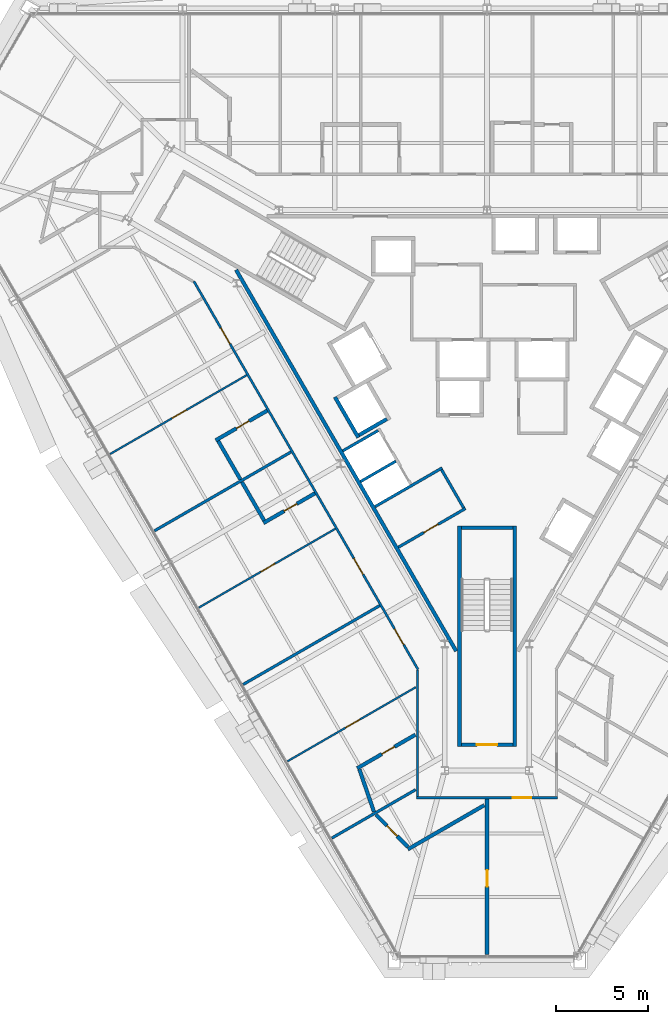
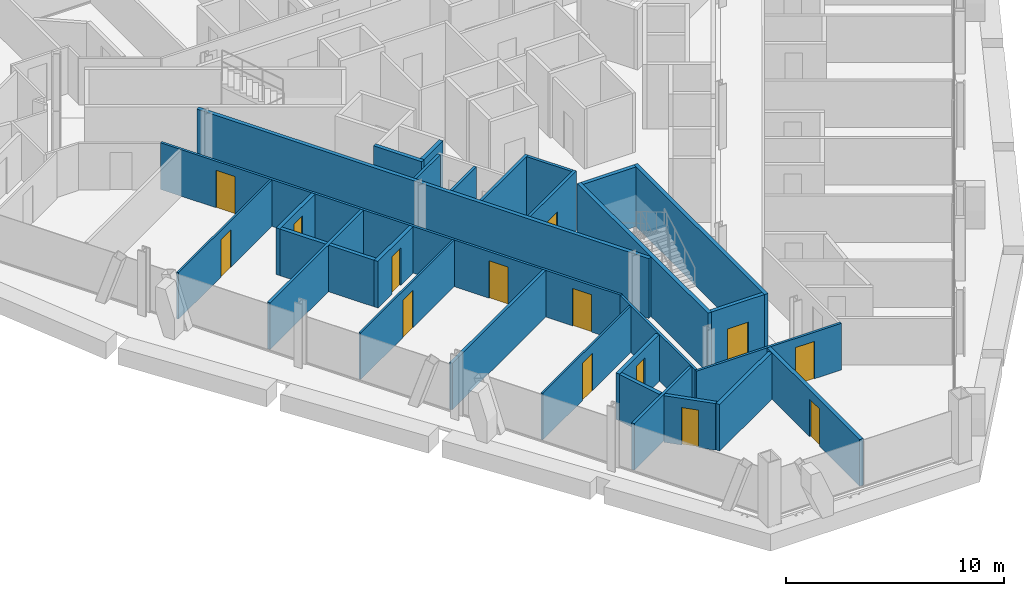
# One storey, part 10 of 17: 30 walls, 14 doors, 14 openings.
"""IFC4 building model written with IfcOpenShell, lengths in metres."""

from ifc_helpers import new_model, si_unit, direction, frame, frame_2d, origin, place, context, subcontext, project, spatial, rectangle, extrude, material, layer, layer_set, type_object, element, fill, save


model = new_model("IFC4")

# Units and contexts
model_context = context("Model", 3, precision=1e-05, world=origin(), true_north=direction((0.0, 1.0)))
body_context = subcontext(model_context, "Body", "Model", "MODEL_VIEW")
ifc_project = project(units=[si_unit("LENGTHUNIT", "METRE"), si_unit("AREAUNIT", "SQUARE_METRE"), si_unit("VOLUMEUNIT", "CUBIC_METRE"), si_unit("PLANEANGLEUNIT", "RADIAN"), si_unit("MASSUNIT", "GRAM", prefix="KILO")], contexts=[model_context])

# Site, building, storey
site_placement = place(None, origin())
site = spatial("IfcSite", under=ifc_project, at=site_placement, CompositionType="ELEMENT")
building_placement = place(site_placement, origin())
building = spatial("IfcBuilding", under=site, at=building_placement, Name="Verrane Prism Tower", CompositionType="ELEMENT")
storey_placement = place(building_placement, frame((0.0, 0.0, 136.0)))
storey = spatial("IfcBuildingStorey", under=building, at=storey_placement, Name="L33", CompositionType="ELEMENT", Elevation=136.0)

# Wall
ifc_material_1 = material(Name="Gypsum board partition", Category="other")
ifc_layer_1 = layer(ifc_material_1, 0.199951171875)
ifc_layer_set_1 = layer_set([ifc_layer_1], Name="CW-200 core boundary wall 2 h")
wall_type_1 = type_object("IfcWallType", Name="CW-200 core boundary wall 2 h", PredefinedType="PARTITIONING", material=ifc_layer_set_1)
wall_1_placement = place(storey_placement, frame((-13.66357421875, 5.946044921875, 0.0), z_axis=(0.0, 0.0, 1.0), x_axis=(0.499994327219, -0.866028678941, 0.0)))
element("IfcWall", 1, at=wall_1_placement, inside=storey, type_object=wall_type_1, Name="Core boundary wall CW3-001", PredefinedType="PARTITIONING", context=body_context, shape_type="SweptSolid", body=[
    extrude(rectangle(XDim=23.967529296875, YDim=0.199951171875, at=frame_2d((11.98388671875, 0.0))), origin(), (0.0, 0.0, 1.0), 3.35009765625),
])

# Wall, opening, door
ifc_material_2 = material(Name="Concrete C40/50", Category="concrete")
ifc_layer_2 = layer(ifc_material_2, 0.199951171875)
ifc_layer_set_2 = layer_set([ifc_layer_2], Name="CW-200 stair core wall concrete C40/50 3 h")
wall_type_2 = type_object("IfcWallType", Name="CW-200 stair core wall concrete C40/50 3 h", PredefinedType="PARTITIONING", material=ifc_layer_set_2)
wall_2_placement = place(storey_placement, frame((-1.39990234375, -19.89990234375, 0.0), z_axis=(0.0, 0.0, 1.0), x_axis=(1.0, 0.0, 0.0)))
wall_2 = element("IfcWall", 2, at=wall_2_placement, inside=storey, type_object=wall_type_2, Name="Stair 3 enclosure wall", PredefinedType="PARTITIONING", context=body_context, shape_type="SweptSolid", body=[
    extrude(rectangle(XDim=2.7998046875, YDim=0.199951171875, at=frame_2d((1.39990234375, 0.0))), origin(), (0.0, 0.0, 1.0), 3.35009765625),
])
opening_1_placement = place(wall_2_placement, frame((0.85009765625, 0.0, 0.0)))
opening_1 = element("IfcOpeningElement", 3, at=opening_1_placement, cuts=wall_2, Name="Opening D32502", PredefinedType="OPENING", context=body_context, shape_type="SweptSolid", body=[
    extrude(rectangle(XDim=1.10009765625, YDim=2.10009765625, at=frame_2d((0.550048828125, 1.050048828125))), frame((0.0, 0.10986328125, 0.0), z_axis=(0.0, -1.0, 0.0), x_axis=(1.0, 0.0, 0.0)), (0.0, 0.0, 1.0), 0.219970703125),
])
ifc_material_3 = material(Name="Timber veneered door leaf", Category="wood")
door_type_1 = type_object("IfcDoorType", Name="DR-1100x2100 FD90 single leaf stair", OperationType="NOTDEFINED", PredefinedType="DOOR", material=ifc_material_3)
door_1_placement = place(opening_1_placement, origin())
door_1 = element("IfcDoor", 4, at=door_1_placement, inside=storey, type_object=door_type_1, Name="Stair 3 door", OperationType="SINGLE_SWING_LEFT", OverallHeight=2.10009765625, OverallWidth=1.10009765625, PredefinedType="DOOR", context=body_context, shape_type="SweptSolid", body=[
    extrude(rectangle(XDim=1.10009765625, YDim=2.10009765625, at=frame_2d((0.550048828125, 1.050048828125))), frame((0.0, 0.02490234375, 0.0), z_axis=(0.0, -1.0, 0.0), x_axis=(1.0, 0.0, 0.0)), (0.0, 0.0, 1.0), 0.050048828125),
])
fill(opening_1, door_1)

# Walls
for number, where, z_axis, x_axis, name in (
    (5, (1.5, -8.0, 0.0), (0.0, 0.0, 1.0), (0.0, -1.0, 0.0), "Stair 3 enclosure wall"),
    (6, (-1.5, -8.0, 0.0), (0.0, 0.0, 1.0), (0.0, -1.0, 0.0), "Stair 3 enclosure wall"),
):
    element("IfcWall", number, at=place(storey_placement, frame(where, z_axis=z_axis, x_axis=x_axis)), inside=storey, type_object=wall_type_2, Name=name, PredefinedType="PARTITIONING", context=body_context, shape_type="SweptSolid", body=[
        extrude(rectangle(XDim=12.0, YDim=0.199951171875, at=frame_2d((6.0, 0.0))), origin(), (0.0, 0.0, 1.0), 3.35009765625),
    ])
wall_3_placement = place(storey_placement, frame((-1.39990234375, -8.10009765625, 0.0), z_axis=(0.0, 0.0, 1.0), x_axis=(1.0, 0.0, 0.0)))
element("IfcWall", 7, at=wall_3_placement, inside=storey, type_object=wall_type_2, Name="Stair 3 enclosure wall", PredefinedType="PARTITIONING", context=body_context, shape_type="SweptSolid", body=[
    extrude(rectangle(XDim=2.7998046875, YDim=0.199951171875, at=frame_2d((1.39990234375, 0.0))), origin(), (0.0, 0.0, 1.0), 3.35009765625),
])
ifc_material_4 = material(Name="Gypsum board shaft wall assembly", Category="other")
ifc_layer_3 = layer(ifc_material_4, 0.199951171875)
ifc_layer_set_3 = layer_set([ifc_layer_3], Name="HW-200 lift shaft wall 2 h")
wall_type_3 = type_object("IfcWallType", Name="HW-200 lift shaft wall 2 h", PredefinedType="PARTITIONING", material=ifc_layer_set_3)
wall_4_placement = place(storey_placement, frame((-6.9697265625, -3.048095703125, 0.0), z_axis=(0.0, 0.0, 1.0), x_axis=(0.866036909293, 0.499980071345, 0.0)))
element("IfcWall", 8, at=wall_4_placement, inside=storey, type_object=wall_type_3, Name="Lift shaft wall", PredefinedType="PARTITIONING", context=body_context, shape_type="SweptSolid", body=[
    extrude(rectangle(XDim=1.75, YDim=0.199951171875, at=frame_2d((0.875, 0.0))), origin(), (0.0, 0.0, 1.0), 3.60009765625),
])
wall_5_placement = place(storey_placement, frame((-7.00634765625, -3.184814453125, 0.0), z_axis=(0.0, 0.0, 1.0), x_axis=(-0.499990435942, 0.866030925526, 0.0)))
element("IfcWall", 9, at=wall_5_placement, inside=storey, type_object=wall_type_3, Name="Lift shaft wall", PredefinedType="PARTITIONING", context=body_context, shape_type="SweptSolid", body=[
    extrude(rectangle(XDim=2.5498046875, YDim=0.199951171875, at=frame_2d((1.27490234375, 0.0))), origin(), (0.0, 0.0, 1.0), 3.60009765625),
])

# Wall, opening, door
ifc_material_5 = material(Name="Gypsum board partition", Category="other")
ifc_layer_4 = layer(ifc_material_5, 0.10009765625)
ifc_layer_set_4 = layer_set([ifc_layer_4], Name="PW-100 room partition")
wall_type_4 = type_object("IfcWallType", Name="PW-100 room partition", PredefinedType="PARTITIONING", material=ifc_layer_set_4)
wall_6_placement = place(storey_placement, frame((-13.084228515625, 0.2158203125, 0.0), z_axis=(0.0, 0.0, 1.0), x_axis=(-0.866017120224, -0.500014347272, 0.0)))
wall_6 = element("IfcWall", 10, at=wall_6_placement, inside=storey, type_object=wall_type_4, Name="Room partition 011", PredefinedType="PARTITIONING", context=body_context, shape_type="SweptSolid", body=[
    extrude(rectangle(XDim=8.591552734375, YDim=0.10009765625, at=frame_2d((4.2958984375, 0.0))), origin(), (0.0, 0.0, 1.0), 2.613037109375),
])
opening_2_placement = place(wall_6_placement, frame((3.78759765625, 0.0, 0.0)))
opening_2 = element("IfcOpeningElement", 11, at=opening_2_placement, cuts=wall_6, Name="Opening D32038", PredefinedType="OPENING", context=body_context, shape_type="SweptSolid", body=[
    extrude(rectangle(XDim=0.89990234375, YDim=2.10009765625, at=frame_2d((0.449951171875, 1.050048828125))), frame((0.0, 0.06005859375, 0.0), z_axis=(0.0, -1.0, 0.0), x_axis=(1.0, 0.0, 0.0)), (0.0, 0.0, 1.0), 0.1201171875),
])
ifc_material_6 = material(Name="Timber veneered door leaf", Category="wood")
door_type_2 = type_object("IfcDoorType", Name="DR-900x2100 single leaf inner", OperationType="NOTDEFINED", PredefinedType="DOOR", material=ifc_material_6)
door_2_placement = place(opening_2_placement, origin())
door_2 = element("IfcDoor", 12, at=door_2_placement, inside=storey, type_object=door_type_2, Name="Suite Living Room door", OperationType="SINGLE_SWING_LEFT", OverallHeight=2.10009765625, OverallWidth=0.89990234375, PredefinedType="DOOR", context=body_context, shape_type="SweptSolid", body=[
    extrude(rectangle(XDim=0.89990234375, YDim=2.10009765625, at=frame_2d((0.449951171875, 1.050048828125))), frame((0.0, 0.02490234375, 0.0), z_axis=(0.0, -1.0, 0.0), x_axis=(1.0, 0.0, 0.0)), (0.0, 0.0, 1.0), 0.050048828125),
])
fill(opening_2, door_2)

wall_7_placement = place(storey_placement, frame((-15.69580078125, -12.444091796875, 0.0), z_axis=(0.0, 0.0, 1.0), x_axis=(0.866024224461, 0.500002042643, 0.0)))
wall_7 = element("IfcWall", 13, at=wall_7_placement, inside=storey, type_object=wall_type_4, Name="Room partition 024", PredefinedType="PARTITIONING", context=body_context, shape_type="SweptSolid", body=[
    extrude(rectangle(XDim=8.591796875, YDim=0.10009765625, at=frame_2d((4.2958984375, 0.0))), origin(), (0.0, 0.0, 1.0), 2.613037109375),
])
opening_3_placement = place(wall_7_placement, frame((3.904052734375, 0.0, 0.0)))
opening_3 = element("IfcOpeningElement", 14, at=opening_3_placement, cuts=wall_7, Name="Opening D32041", PredefinedType="OPENING", context=body_context, shape_type="SweptSolid", body=[
    extrude(rectangle(XDim=0.89990234375, YDim=2.10009765625, at=frame_2d((0.449951171875, 1.050048828125))), frame((0.0, 0.06005859375, 0.0), z_axis=(0.0, -1.0, 0.0), x_axis=(1.0, 0.0, 0.0)), (0.0, 0.0, 1.0), 0.1201171875),
])
door_3_placement = place(opening_3_placement, origin())
door_3 = element("IfcDoor", 15, at=door_3_placement, inside=storey, type_object=door_type_2, Name="Suite Living Room door", OperationType="SINGLE_SWING_LEFT", OverallHeight=2.10009765625, OverallWidth=0.89990234375, PredefinedType="DOOR", context=body_context, shape_type="SweptSolid", body=[
    extrude(rectangle(XDim=0.89990234375, YDim=2.10009765625, at=frame_2d((0.449951171875, 1.050048828125))), frame((0.0, 0.02490234375, 0.0), z_axis=(0.0, -1.0, 0.0), x_axis=(1.0, 0.0, 0.0)), (0.0, 0.0, 1.0), 0.050048828125),
])
fill(opening_3, door_3)

wall_8_placement = place(storey_placement, frame((-3.87451171875, -16.7724609375, 0.0), z_axis=(0.0, 0.0, 1.0), x_axis=(-0.866048113244, -0.499960663999, 0.0)))
wall_8 = element("IfcWall", 16, at=wall_8_placement, inside=storey, type_object=wall_type_4, Name="Room partition 033", PredefinedType="PARTITIONING", context=body_context, shape_type="SweptSolid", body=[
    extrude(rectangle(XDim=8.073486328125, YDim=0.10009765625, at=frame_2d((4.03662109375, 0.0))), origin(), (0.0, 0.0, 1.0), 2.613037109375),
])
opening_4_placement = place(wall_8_placement, frame((3.519775390625, 0.0, 0.0)))
opening_4 = element("IfcOpeningElement", 17, at=opening_4_placement, cuts=wall_8, Name="Opening D32044", PredefinedType="OPENING", context=body_context, shape_type="SweptSolid", body=[
    extrude(rectangle(XDim=0.89990234375, YDim=2.10009765625, at=frame_2d((0.449951171875, 1.050048828125))), frame((0.0, 0.06005859375, 0.0), z_axis=(0.0, -1.0, 0.0), x_axis=(1.0, 0.0, 0.0)), (0.0, 0.0, 1.0), 0.1201171875),
])
door_4_placement = place(opening_4_placement, origin())
door_4 = element("IfcDoor", 18, at=door_4_placement, inside=storey, type_object=door_type_2, Name="Suite Living Room door", OperationType="SINGLE_SWING_LEFT", OverallHeight=2.10009765625, OverallWidth=0.89990234375, PredefinedType="DOOR", context=body_context, shape_type="SweptSolid", body=[
    extrude(rectangle(XDim=0.89990234375, YDim=2.10009765625, at=frame_2d((0.449951171875, 1.050048828125))), frame((0.0, 0.02490234375, 0.0), z_axis=(0.0, -1.0, 0.0), x_axis=(1.0, 0.0, 0.0)), (0.0, 0.0, 1.0), 0.050048828125),
])
fill(opening_4, door_4)

# Wall, openings, doors
ifc_material_7 = material(Name="Gypsum board partition", Category="other")
ifc_layer_5 = layer(ifc_material_7, 0.125)
ifc_layer_set_5 = layer_set([ifc_layer_5], Name="PW-125 corridor wall 1 h")
wall_type_5 = type_object("IfcWallType", Name="PW-125 corridor wall 1 h", PredefinedType="PARTITIONING", material=ifc_layer_set_5)
wall_9_placement = place(storey_placement, frame((-3.755859375, -15.816162109375, 0.0), z_axis=(0.0, 0.0, 1.0), x_axis=(-0.499992829944, 0.866029543379, 0.0)))
wall_9 = element("IfcWall", 19, at=wall_9_placement, inside=storey, type_object=wall_type_5, Name="Corridor wall 021", PredefinedType="PARTITIONING", context=body_context, shape_type="SweptSolid", body=[
    extrude(rectangle(XDim=24.412841796875, YDim=0.125, at=frame_2d((12.20654296875, 0.0))), origin(), (0.0, 0.0, 1.0), 2.613037109375),
])
opening_5_placement = place(wall_9_placement, frame((20.4775390625, 0.0, 0.0)))
opening_5 = element("IfcOpeningElement", 20, at=opening_5_placement, cuts=wall_9, Name="Opening D32037", PredefinedType="OPENING", context=body_context, shape_type="SweptSolid", body=[
    extrude(rectangle(XDim=1.0, YDim=2.10009765625, at=frame_2d((0.5, 1.050048828125))), frame((0.0, 0.072509765625, 0.0), z_axis=(0.0, -1.0, 0.0), x_axis=(1.0, 0.0, 0.0)), (0.0, 0.0, 1.0), 0.14501953125),
])
opening_6_placement = place(wall_9_placement, frame((5.990478515625, 0.0, 0.0)))
opening_6 = element("IfcOpeningElement", 21, at=opening_6_placement, cuts=wall_9, Name="Opening D32040", PredefinedType="OPENING", context=body_context, shape_type="SweptSolid", body=[
    extrude(rectangle(XDim=1.0, YDim=2.10009765625, at=frame_2d((0.5, 1.050048828125))), frame((0.0, 0.072509765625, 0.0), z_axis=(0.0, -1.0, 0.0), x_axis=(1.0, 0.0, 0.0)), (0.0, 0.0, 1.0), 0.14501953125),
])
opening_7_placement = place(wall_9_placement, frame((1.560546875, 0.0, 0.0)))
opening_7 = element("IfcOpeningElement", 22, at=opening_7_placement, cuts=wall_9, Name="Opening D32043", PredefinedType="OPENING", context=body_context, shape_type="SweptSolid", body=[
    extrude(rectangle(XDim=1.0, YDim=2.10009765625, at=frame_2d((0.5, 1.050048828125))), frame((0.0, 0.072509765625, 0.0), z_axis=(0.0, -1.0, 0.0), x_axis=(1.0, 0.0, 0.0)), (0.0, 0.0, 1.0), 0.14501953125),
])
ifc_material_8 = material(Name="Timber veneered door leaf", Category="wood")
door_type_3 = type_object("IfcDoorType", Name="DR-1000x2100 FD20 single leaf unit", OperationType="NOTDEFINED", PredefinedType="DOOR", material=ifc_material_8)
door_5_placement = place(opening_5_placement, origin())
door_5 = element("IfcDoor", 23, at=door_5_placement, inside=storey, type_object=door_type_3, Name="Suite Living Room door", OperationType="SINGLE_SWING_RIGHT", OverallHeight=2.10009765625, OverallWidth=1.0, PredefinedType="DOOR", context=body_context, shape_type="SweptSolid", body=[
    extrude(rectangle(XDim=1.0, YDim=2.10009765625, at=frame_2d((0.5, 1.050048828125))), frame((0.0, 0.02490234375, 0.0), z_axis=(0.0, -1.0, 0.0), x_axis=(1.0, 0.0, 0.0)), (0.0, 0.0, 1.0), 0.050048828125),
])
fill(opening_5, door_5)
door_6_placement = place(opening_6_placement, origin())
door_6 = element("IfcDoor", 24, at=door_6_placement, inside=storey, type_object=door_type_3, Name="Suite Living Room door", OperationType="SINGLE_SWING_LEFT", OverallHeight=2.10009765625, OverallWidth=1.0, PredefinedType="DOOR", context=body_context, shape_type="SweptSolid", body=[
    extrude(rectangle(XDim=1.0, YDim=2.10009765625, at=frame_2d((0.5, 1.050048828125))), frame((0.0, 0.02490234375, 0.0), z_axis=(0.0, -1.0, 0.0), x_axis=(1.0, 0.0, 0.0)), (0.0, 0.0, 1.0), 0.050048828125),
])
fill(opening_6, door_6)
door_7_placement = place(opening_7_placement, origin())
door_7 = element("IfcDoor", 25, at=door_7_placement, inside=storey, type_object=door_type_3, Name="Suite Living Room door", OperationType="SINGLE_SWING_RIGHT", OverallHeight=2.10009765625, OverallWidth=1.0, PredefinedType="DOOR", context=body_context, shape_type="SweptSolid", body=[
    extrude(rectangle(XDim=1.0, YDim=2.10009765625, at=frame_2d((0.5, 1.050048828125))), frame((0.0, 0.02490234375, 0.0), z_axis=(0.0, -1.0, 0.0), x_axis=(1.0, 0.0, 0.0)), (0.0, 0.0, 1.0), 0.050048828125),
])
fill(opening_7, door_7)

# Wall
wall_10_placement = place(storey_placement, frame((-3.787109375, -22.721923828125, 0.0), z_axis=(0.0, 0.0, 1.0), x_axis=(0.0, 1.0, 0.0)))
element("IfcWall", 26, at=wall_10_placement, inside=storey, type_object=wall_type_5, Name="Corridor wall 044", PredefinedType="PARTITIONING", context=body_context, shape_type="SweptSolid", body=[
    extrude(rectangle(XDim=6.875, YDim=0.125, at=frame_2d((3.4375, 0.0))), origin(), (0.0, 0.0, 1.0), 2.613037109375),
])

# Wall, opening, door
wall_11_placement = place(storey_placement, frame((3.849609375, -22.787109375, 0.0), z_axis=(0.0, 0.0, 1.0), x_axis=(-1.0, 0.0, 0.0)))
wall_11 = element("IfcWall", 27, at=wall_11_placement, inside=storey, type_object=wall_type_5, Name="Corridor wall 045", PredefinedType="PARTITIONING", context=body_context, shape_type="SweptSolid", body=[
    extrude(rectangle(XDim=7.69921875, YDim=0.125, at=frame_2d((3.849609375, 0.0))), origin(), (0.0, 0.0, 1.0), 2.613037109375),
])
opening_8_placement = place(wall_11_placement, frame((1.449462890625, 0.0, 0.0)))
opening_8 = element("IfcOpeningElement", 28, at=opening_8_placement, cuts=wall_11, Name="Opening D32046", PredefinedType="OPENING", context=body_context, shape_type="SweptSolid", body=[
    extrude(rectangle(XDim=1.0, YDim=2.10009765625, at=frame_2d((0.5, 1.050048828125))), frame((0.0, 0.072509765625, 0.0), z_axis=(0.0, -1.0, 0.0), x_axis=(1.0, 0.0, 0.0)), (0.0, 0.0, 1.0), 0.14501953125),
])
door_8_placement = place(opening_8_placement, origin())
door_8 = element("IfcDoor", 29, at=door_8_placement, inside=storey, type_object=door_type_3, Name="Suite Living Room door", OperationType="SINGLE_SWING_LEFT", OverallHeight=2.10009765625, OverallWidth=1.0, PredefinedType="DOOR", context=body_context, shape_type="SweptSolid", body=[
    extrude(rectangle(XDim=1.0, YDim=2.10009765625, at=frame_2d((0.5, 1.050048828125))), frame((0.0, 0.02490234375, 0.0), z_axis=(0.0, -1.0, 0.0), x_axis=(1.0, 0.0, 0.0)), (0.0, 0.0, 1.0), 0.050048828125),
])
fill(opening_8, door_8)

# Walls
ifc_material_9 = material(Name="Gypsum board partition", Category="other")
ifc_layer_6 = layer(ifc_material_9, 0.14990234375)
ifc_layer_set_6 = layer_set([ifc_layer_6], Name="PW-150 demising wall 1 h")
wall_type_6 = type_object("IfcWallType", Name="PW-150 demising wall 1 h", PredefinedType="PARTITIONING", material=ifc_layer_set_6)
wall_12_placement = place(storey_placement, frame((-18.1103515625, -8.26171875, 0.0), z_axis=(0.0, 0.0, 1.0), x_axis=(0.866034625887, 0.499984026509, 0.0)))
element("IfcWall", 30, at=wall_12_placement, inside=storey, type_object=wall_type_6, Name="Demising wall 018", PredefinedType="PARTITIONING", context=body_context, shape_type="SweptSolid", body=[
    extrude(rectangle(XDim=8.591064453125, YDim=0.14990234375, at=frame_2d((4.29541015625, 0.0))), origin(), (0.0, 0.0, 1.0), 2.613037109375),
])
wall_13_placement = place(storey_placement, frame((-13.28076171875, -16.626953125, 0.0), z_axis=(0.0, 0.0, 1.0), x_axis=(0.866036528751, 0.499980730498, 0.0)))
element("IfcWall", 31, at=wall_13_placement, inside=storey, type_object=wall_type_6, Name="Demising wall 029", PredefinedType="PARTITIONING", context=body_context, shape_type="SweptSolid", body=[
    extrude(rectangle(XDim=8.591552734375, YDim=0.14990234375, at=frame_2d((4.2958984375, 0.0))), origin(), (0.0, 0.0, 1.0), 2.613037109375),
])
wall_14_placement = place(storey_placement, frame((-8.45166015625, -24.990966796875, 0.0), z_axis=(0.0, 0.0, 1.0), x_axis=(0.866039804031, 0.499975057213, 0.0)))
element("IfcWall", 32, at=wall_14_placement, inside=storey, type_object=wall_type_6, Name="Demising wall 036", PredefinedType="PARTITIONING", context=body_context, shape_type="SweptSolid", body=[
    extrude(rectangle(XDim=5.270751953125, YDim=0.14990234375, at=frame_2d((2.63525390625, 0.0))), origin(), (0.0, 0.0, 1.0), 2.613037109375),
])
ifc_material_10 = material(Name="Gypsum board partition", Category="other")
ifc_layer_7 = layer(ifc_material_10, 0.199951171875)
ifc_layer_set_7 = layer_set([ifc_layer_7], Name="PW-200 plumbing wall")
wall_type_7 = type_object("IfcWallType", Name="PW-200 plumbing wall", PredefinedType="PARTITIONING", material=ifc_layer_set_7)
wall_15_placement = place(storey_placement, frame((-14.636962890625, -3.36962890625, 0.0), z_axis=(0.0, 0.0, 1.0), x_axis=(0.50002218001, -0.866012597771, 0.0)))
element("IfcWall", 33, at=wall_15_placement, inside=storey, type_object=wall_type_7, Name="Plumbing wall 025", PredefinedType="PARTITIONING", context=body_context, shape_type="SweptSolid", body=[
    extrude(rectangle(XDim=2.4208984375, YDim=0.199951171875, at=frame_2d((1.21044921875, 0.0))), origin(), (0.0, 0.0, 1.0), 2.613037109375),
])

# Wall, opening, door
wall_16_placement = place(storey_placement, frame((-11.97021484375, -1.71435546875, 0.0), z_axis=(0.0, 0.0, 1.0), x_axis=(-0.866016035791, -0.500016225489, 0.0)))
wall_16 = element("IfcWall", 34, at=wall_16_placement, inside=storey, type_object=wall_type_7, Name="Plumbing wall 026", PredefinedType="PARTITIONING", context=body_context, shape_type="SweptSolid", body=[
    extrude(rectangle(XDim=3.2373046875, YDim=0.199951171875, at=frame_2d((1.61865234375, 0.0))), origin(), (0.0, 0.0, 1.0), 2.613037109375),
])
opening_9_placement = place(wall_16_placement, frame((1.13720703125, 0.0, 0.0)))
opening_9 = element("IfcOpeningElement", 35, at=opening_9_placement, cuts=wall_16, Name="Opening D32039", PredefinedType="OPENING", context=body_context, shape_type="SweptSolid", body=[
    extrude(rectangle(XDim=0.800048828125, YDim=2.10009765625, at=frame_2d((0.39990234375, 1.050048828125))), frame((0.0, 0.10986328125, 0.0), z_axis=(0.0, -1.0, 0.0), x_axis=(1.0, 0.0, 0.0)), (0.0, 0.0, 1.0), 0.219970703125),
])
ifc_material_11 = material(Name="Timber veneered door leaf", Category="wood")
door_type_4 = type_object("IfcDoorType", Name="DR-800x2100 single leaf bath", OperationType="NOTDEFINED", PredefinedType="DOOR", material=ifc_material_11)
door_9_placement = place(opening_9_placement, origin())
door_9 = element("IfcDoor", 36, at=door_9_placement, inside=storey, type_object=door_type_4, Name="En-Suite door", OperationType="SINGLE_SWING_RIGHT", OverallHeight=2.10009765625, OverallWidth=0.800048828125, PredefinedType="DOOR", context=body_context, shape_type="SweptSolid", body=[
    extrude(rectangle(XDim=0.800048828125, YDim=2.10009765625, at=frame_2d((0.39990234375, 1.050048828125))), frame((0.0, 0.02490234375, 0.0), z_axis=(0.0, -1.0, 0.0), x_axis=(1.0, 0.0, 0.0)), (0.0, 0.0, 1.0), 0.050048828125),
])
fill(opening_9, door_9)

# Wall
wall_17_placement = place(storey_placement, frame((-13.346435546875, -5.60400390625, 0.0), z_axis=(0.0, 0.0, 1.0), x_axis=(0.499719542643, -0.866187265377, 0.0)))
element("IfcWall", 37, at=wall_17_placement, inside=storey, type_object=wall_type_7, Name="Plumbing wall 028", PredefinedType="PARTITIONING", context=body_context, shape_type="SweptSolid", body=[
    extrude(rectangle(XDim=2.42041015625, YDim=0.199951171875, at=frame_2d((1.210205078125, 0.0))), origin(), (0.0, 0.0, 1.0), 2.613037109375),
])

# Wall, opening, door
wall_18_placement = place(storey_placement, frame((-12.173583984375, -7.8369140625, 0.0), z_axis=(0.0, 0.0, 1.0), x_axis=(0.866016035791, 0.500016225489, 0.0)))
wall_18 = element("IfcWall", 38, at=wall_18_placement, inside=storey, type_object=wall_type_7, Name="Plumbing wall 031", PredefinedType="PARTITIONING", context=body_context, shape_type="SweptSolid", body=[
    extrude(rectangle(XDim=3.2373046875, YDim=0.199951171875, at=frame_2d((1.61865234375, 0.0))), origin(), (0.0, 0.0, 1.0), 2.613037109375),
])
opening_10_placement = place(wall_18_placement, frame((1.300048828125, 0.0, 0.0)))
opening_10 = element("IfcOpeningElement", 39, at=opening_10_placement, cuts=wall_18, Name="Opening D32042", PredefinedType="OPENING", context=body_context, shape_type="SweptSolid", body=[
    extrude(rectangle(XDim=0.800048828125, YDim=2.10009765625, at=frame_2d((0.39990234375, 1.050048828125))), frame((0.0, 0.10986328125, 0.0), z_axis=(0.0, -1.0, 0.0), x_axis=(1.0, 0.0, 0.0)), (0.0, 0.0, 1.0), 0.219970703125),
])
door_10_placement = place(opening_10_placement, origin())
door_10 = element("IfcDoor", 40, at=door_10_placement, inside=storey, type_object=door_type_4, Name="En-Suite door", OperationType="SINGLE_SWING_RIGHT", OverallHeight=2.10009765625, OverallWidth=0.800048828125, PredefinedType="DOOR", context=body_context, shape_type="SweptSolid", body=[
    extrude(rectangle(XDim=0.800048828125, YDim=2.10009765625, at=frame_2d((0.39990234375, 1.050048828125))), frame((0.0, 0.02490234375, 0.0), z_axis=(0.0, -1.0, 0.0), x_axis=(1.0, 0.0, 0.0)), (0.0, 0.0, 1.0), 0.050048828125),
])
fill(opening_10, door_10)

# Wall
wall_19_placement = place(storey_placement, frame((-6.947998046875, -21.256591796875, 0.0), z_axis=(0.0, 0.0, 1.0), x_axis=(0.325034895309, -0.945702023278, 0.0)))
element("IfcWall", 41, at=wall_19_placement, inside=storey, type_object=wall_type_7, Name="Plumbing wall 037", PredefinedType="PARTITIONING", context=body_context, shape_type="SweptSolid", body=[
    extrude(rectangle(XDim=2.432861328125, YDim=0.199951171875, at=frame_2d((1.21630859375, 0.0))), origin(), (0.0, 0.0, 1.0), 2.613037109375),
])

# Wall, opening, door
wall_20_placement = place(storey_placement, frame((-3.8994140625, -19.36083984375, 0.0), z_axis=(0.0, 0.0, 1.0), x_axis=(-0.866103509397, -0.499864692702, 0.0)))
wall_20 = element("IfcWall", 42, at=wall_20_placement, inside=storey, type_object=wall_type_7, Name="Plumbing wall 038", PredefinedType="PARTITIONING", context=body_context, shape_type="SweptSolid", body=[
    extrude(rectangle(XDim=3.6650390625, YDim=0.199951171875, at=frame_2d((1.83251953125, 0.0))), origin(), (0.0, 0.0, 1.0), 2.613037109375),
])
opening_11_placement = place(wall_20_placement, frame((1.31494140625, 0.0, 0.0)))
opening_11 = element("IfcOpeningElement", 43, at=opening_11_placement, cuts=wall_20, Name="Opening D32045", PredefinedType="OPENING", context=body_context, shape_type="SweptSolid", body=[
    extrude(rectangle(XDim=0.800048828125, YDim=2.10009765625, at=frame_2d((0.39990234375, 1.050048828125))), frame((0.0, 0.10986328125, 0.0), z_axis=(0.0, -1.0, 0.0), x_axis=(1.0, 0.0, 0.0)), (0.0, 0.0, 1.0), 0.219970703125),
])
door_11_placement = place(opening_11_placement, origin())
door_11 = element("IfcDoor", 44, at=door_11_placement, inside=storey, type_object=door_type_4, Name="En-Suite door", OperationType="SINGLE_SWING_RIGHT", OverallHeight=2.10009765625, OverallWidth=0.800048828125, PredefinedType="DOOR", context=body_context, shape_type="SweptSolid", body=[
    extrude(rectangle(XDim=0.800048828125, YDim=2.10009765625, at=frame_2d((0.39990234375, 1.050048828125))), frame((0.0, 0.02490234375, 0.0), z_axis=(0.0, -1.0, 0.0), x_axis=(1.0, 0.0, 0.0)), (0.0, 0.0, 1.0), 0.050048828125),
])
fill(opening_11, door_11)

wall_21_placement = place(storey_placement, frame((-6.05224609375, -23.721923828125, 0.0), z_axis=(0.0, 0.0, 1.0), x_axis=(0.706958057502, -0.707255473597, 0.0)))
wall_21 = element("IfcWall", 45, at=wall_21_placement, inside=storey, type_object=wall_type_7, Name="Plumbing wall 041", PredefinedType="PARTITIONING", context=body_context, shape_type="SweptSolid", body=[
    extrude(rectangle(XDim=2.462646484375, YDim=0.199951171875, at=frame_2d((1.2314453125, 0.0))), origin(), (0.0, 0.0, 1.0), 2.613037109375),
])
opening_12_placement = place(wall_21_placement, frame((0.845703125, 0.0, 0.0)))
opening_12 = element("IfcOpeningElement", 46, at=opening_12_placement, cuts=wall_21, Name="Opening D32048", PredefinedType="OPENING", context=body_context, shape_type="SweptSolid", body=[
    extrude(rectangle(XDim=0.800048828125, YDim=2.10009765625, at=frame_2d((0.39990234375, 1.050048828125))), frame((0.0, 0.10986328125, 0.0), z_axis=(0.0, -1.0, 0.0), x_axis=(1.0, 0.0, 0.0)), (0.0, 0.0, 1.0), 0.219970703125),
])
door_12_placement = place(opening_12_placement, origin())
door_12 = element("IfcDoor", 47, at=door_12_placement, inside=storey, type_object=door_type_4, Name="En-Suite door", OperationType="SINGLE_SWING_RIGHT", OverallHeight=2.10009765625, OverallWidth=0.800048828125, PredefinedType="DOOR", context=body_context, shape_type="SweptSolid", body=[
    extrude(rectangle(XDim=0.800048828125, YDim=2.10009765625, at=frame_2d((0.39990234375, 1.050048828125))), frame((0.0, 0.02490234375, 0.0), z_axis=(0.0, -1.0, 0.0), x_axis=(1.0, 0.0, 0.0)), (0.0, 0.0, 1.0), 0.050048828125),
])
fill(opening_12, door_12)

# Wall
wall_22_placement = place(storey_placement, frame((-4.3095703125, -25.60205078125, 0.0), z_axis=(0.0, 0.0, 1.0), x_axis=(0.866045077667, 0.499965922287, 0.0)))
element("IfcWall", 48, at=wall_22_placement, inside=storey, type_object=wall_type_7, Name="Plumbing wall 043", PredefinedType="PARTITIONING", context=body_context, shape_type="SweptSolid", body=[
    extrude(rectangle(XDim=4.802978515625, YDim=0.199951171875, at=frame_2d((2.4013671875, 0.0))), origin(), (0.0, 0.0, 1.0), 2.613037109375),
])

# Wall, opening, door
wall_23_placement = place(storey_placement, frame((0.0, -31.340087890625, 0.0), z_axis=(0.0, 0.0, 1.0), x_axis=(0.0, 1.0, 0.0)))
wall_23 = element("IfcWall", 49, at=wall_23_placement, inside=storey, type_object=wall_type_7, Name="Plumbing wall 047", PredefinedType="PARTITIONING", context=body_context, shape_type="SweptSolid", body=[
    extrude(rectangle(XDim=8.490478515625, YDim=0.199951171875, at=frame_2d((4.2451171875, 0.0))), origin(), (0.0, 0.0, 1.0), 2.613037109375),
])
opening_13_placement = place(wall_23_placement, frame((3.7041015625, 0.0, 0.0)))
opening_13 = element("IfcOpeningElement", 50, at=opening_13_placement, cuts=wall_23, Name="Opening D32047", PredefinedType="OPENING", context=body_context, shape_type="SweptSolid", body=[
    extrude(rectangle(XDim=0.89990234375, YDim=2.10009765625, at=frame_2d((0.449951171875, 1.050048828125))), frame((0.0, 0.10986328125, 0.0), z_axis=(0.0, -1.0, 0.0), x_axis=(1.0, 0.0, 0.0)), (0.0, 0.0, 1.0), 0.219970703125),
])
door_13_placement = place(opening_13_placement, origin())
door_13 = element("IfcDoor", 51, at=door_13_placement, inside=storey, type_object=door_type_2, Name="Suite Living Room door", OperationType="SINGLE_SWING_LEFT", OverallHeight=2.10009765625, OverallWidth=0.89990234375, PredefinedType="DOOR", context=body_context, shape_type="SweptSolid", body=[
    extrude(rectangle(XDim=0.89990234375, YDim=2.10009765625, at=frame_2d((0.449951171875, 1.050048828125))), frame((0.0, 0.02490234375, 0.0), z_axis=(0.0, -1.0, 0.0), x_axis=(1.0, 0.0, 0.0)), (0.0, 0.0, 1.0), 0.050048828125),
])
fill(opening_13, door_13)

# Walls
ifc_material_12 = material(Name="Gypsum board partition", Category="other")
ifc_layer_8 = layer(ifc_material_12, 0.14990234375)
ifc_layer_set_8 = layer_set([ifc_layer_8], Name="RS-150 riser enclosure wall 1 h")
wall_type_8 = type_object("IfcWallType", Name="RS-150 riser enclosure wall 1 h", PredefinedType="PARTITIONING", material=ifc_layer_set_8)
wall_24_placement = place(storey_placement, frame((-7.8564453125, -3.912109375, 0.0), z_axis=(0.0, 0.0, 1.0), x_axis=(0.865971748, 0.500092923031, 0.0)))
element("IfcWall", 52, at=wall_24_placement, inside=storey, type_object=wall_type_8, Name="Riser wall RS3-001", PredefinedType="PARTITIONING", context=body_context, shape_type="SweptSolid", body=[
    extrude(rectangle(XDim=2.224609375, YDim=0.14990234375, at=frame_2d((1.1123046875, 0.0))), origin(), (0.0, 0.0, 1.0), 3.35009765625),
])
wall_25_placement = place(storey_placement, frame((-6.892333984375, -5.58203125, 0.0), z_axis=(0.0, 0.0, 1.0), x_axis=(0.865944298464, 0.500140452231, 0.0)))
element("IfcWall", 53, at=wall_25_placement, inside=storey, type_object=wall_type_8, Name="Riser wall RS3-002", PredefinedType="PARTITIONING", context=body_context, shape_type="SweptSolid", body=[
    extrude(rectangle(XDim=2.224365234375, YDim=0.14990234375, at=frame_2d((1.1123046875, 0.0))), origin(), (0.0, 0.0, 1.0), 3.35009765625),
])
wall_26_placement = place(storey_placement, frame((-6.10009765625, -6.945556640625, 0.0), z_axis=(0.0, 0.0, 1.0), x_axis=(0.866038200431, 0.499977834903, 0.0)))
element("IfcWall", 54, at=wall_26_placement, inside=storey, type_object=wall_type_8, Name="Riser wall RS3-003", PredefinedType="PARTITIONING", context=body_context, shape_type="SweptSolid", body=[
    extrude(rectangle(XDim=4.220458984375, YDim=0.14990234375, at=frame_2d((2.1103515625, 0.0))), origin(), (0.0, 0.0, 1.0), 3.35009765625),
])

# Wall, opening, door
wall_27_placement = place(storey_placement, frame((-4.824951171875, -9.153564453125, 0.0), z_axis=(0.0, 0.0, 1.0), x_axis=(0.866023738697, 0.500002884005, 0.0)))
wall_27 = element("IfcWall", 55, at=wall_27_placement, inside=storey, type_object=wall_type_8, Name="Riser wall RS3-005", PredefinedType="PARTITIONING", context=body_context, shape_type="SweptSolid", body=[
    extrude(rectangle(XDim=4.22021484375, YDim=0.14990234375, at=frame_2d((2.110107421875, 0.0))), origin(), (0.0, 0.0, 1.0), 3.35009765625),
])
opening_14_placement = place(wall_27_placement, frame((1.594970703125, 0.0, 0.0)))
opening_14 = element("IfcOpeningElement", 56, at=opening_14_placement, cuts=wall_27, Name="Opening D32514", PredefinedType="OPENING", context=body_context, shape_type="SweptSolid", body=[
    extrude(rectangle(XDim=0.89990234375, YDim=2.10009765625, at=frame_2d((0.449951171875, 1.050048828125))), frame((0.0, 0.0849609375, 0.0), z_axis=(0.0, -1.0, 0.0), x_axis=(1.0, 0.0, 0.0)), (0.0, 0.0, 1.0), 0.169921875),
])
ifc_material_13 = material(Name="Timber veneered door leaf", Category="wood")
door_type_5 = type_object("IfcDoorType", Name="DR-900x2100 FD20 single leaf store", OperationType="NOTDEFINED", PredefinedType="DOOR", material=ifc_material_13)
door_14_placement = place(opening_14_placement, origin())
door_14 = element("IfcDoor", 57, at=door_14_placement, inside=storey, type_object=door_type_5, Name="Room door D32514", OperationType="SINGLE_SWING_LEFT", OverallHeight=2.10009765625, OverallWidth=0.89990234375, PredefinedType="DOOR", context=body_context, shape_type="SweptSolid", body=[
    extrude(rectangle(XDim=0.89990234375, YDim=2.10009765625, at=frame_2d((0.449951171875, 1.050048828125))), frame((0.0, 0.02490234375, 0.0), z_axis=(0.0, -1.0, 0.0), x_axis=(1.0, 0.0, 0.0)), (0.0, 0.0, 1.0), 0.050048828125),
])
fill(opening_14, door_14)

# Wall
wall_28_placement = place(storey_placement, frame((-2.472412109375, -4.93798828125, 0.0), z_axis=(0.0, 0.0, 1.0), x_axis=(0.500045362686, -0.865999212041, 0.0)))
element("IfcWall", 58, at=wall_28_placement, inside=storey, type_object=wall_type_8, Name="Riser wall RS3-006", PredefinedType="PARTITIONING", context=body_context, shape_type="SweptSolid", body=[
    extrude(rectangle(XDim=2.399658203125, YDim=0.14990234375, at=frame_2d((1.19970703125, 0.0))), origin(), (0.0, 0.0, 1.0), 3.35009765625),
])

save(model, "model.ifc")
